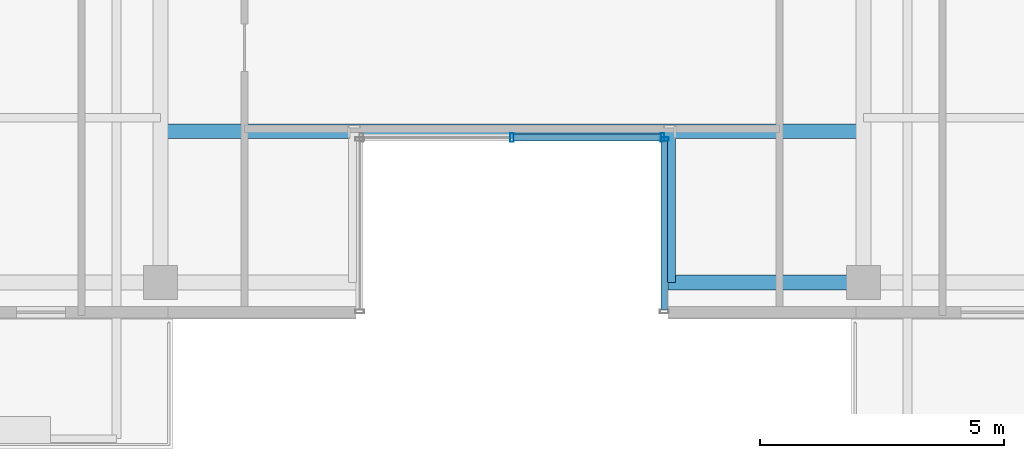
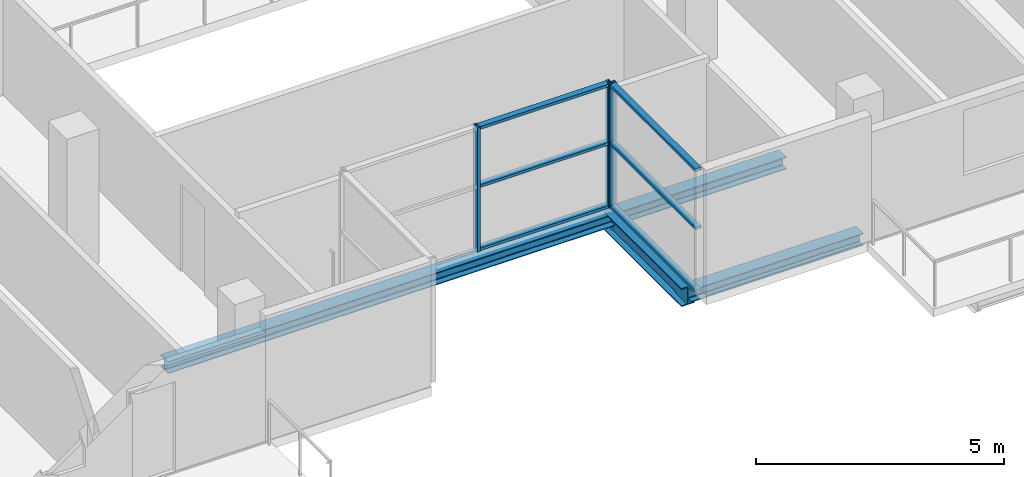
# One storey, part 4 of 22: 9 members, 3 beams, 2 elements without a shape of their own.
"""IFC4 building model written with IfcOpenShell, lengths in metres."""

from ifc_helpers import new_model, si_unit, direction, frame, origin, origin_2d, place, context, subcontext, project, spatial, hollow_rectangle, i_section, extrude, source, transform, mapped, material, layer, layer_set, material_profile, profile_set, type_object, element, aggregate, save


model = new_model("IFC4")

# Units and contexts
model_context = context("Model", 3, precision=1e-05, world=origin(), true_north=direction((0.0, 1.0)))
body_context = subcontext(model_context, "Body", "Model", "MODEL_VIEW")
ifc_project = project(units=[si_unit("LENGTHUNIT", "METRE"), si_unit("AREAUNIT", "SQUARE_METRE"), si_unit("VOLUMEUNIT", "CUBIC_METRE"), si_unit("PLANEANGLEUNIT", "RADIAN"), si_unit("MASSUNIT", "GRAM", prefix="KILO")], contexts=[model_context])

# Site, building, storey
site_placement = place(None, origin())
site = spatial("IfcSite", under=ifc_project, at=site_placement, CompositionType="ELEMENT")
building_placement = place(site_placement, origin())
building = spatial("IfcBuilding", under=site, at=building_placement, Name="Zarnakvel Exchange Tower", CompositionType="ELEMENT")
storey_placement = place(building_placement, frame((0.0, 0.0, 228.699951171875)))
storey = spatial("IfcBuildingStorey", under=building, at=storey_placement, Name="L64", CompositionType="ELEMENT", Elevation=228.699951171875)

# Beams
ifc_material_1 = material(Name="Steel S355", Category="steel")
ifc_material_profile_1 = material_profile(ifc_material_1, i_section(OverallWidth=0.300048828125, OverallDepth=0.449951171875, WebThickness=0.013916015625, FlangeThickness=0.02587890625, FilletRadius=0.027099609375, at=origin_2d()))
ifc_profile_set_1 = profile_set([ifc_material_profile_1], Name="Steel S355")
beam_type_1 = type_object("IfcBeamType", Name="G-07", PredefinedType="BEAM", material=ifc_profile_set_1)
beam_1_placement = place(storey_placement, frame((3.199951171875, -16.35009765625, -0.449951171875), z_axis=(0.0, 1.0, 0.0), x_axis=(-1.0, 0.0, 0.0)))
element("IfcBeam", 1, at=beam_1_placement, inside=storey, type_object=beam_type_1, Name="L64 South Slot East Cheek Beam", PredefinedType="BEAM", context=body_context, shape_type="SweptSolid", body=[
    extrude(i_section(OverallWidth=0.300048828125, OverallDepth=0.449951171875, WebThickness=0.013916015625, FlangeThickness=0.02587890625, FilletRadius=0.027099609375, at=origin_2d()), origin(), (0.0, 0.0, 1.0), 3.10009765625),
])
ifc_material_profile_2 = material_profile(ifc_material_1, i_section(OverallWidth=0.300048828125, OverallDepth=0.300048828125, WebThickness=0.010986328125, FlangeThickness=0.01904296875, FilletRadius=0.027099609375, at=origin_2d()))
ifc_profile_set_2 = profile_set([ifc_material_profile_2], Name="Steel S355")
beam_type_2 = type_object("IfcBeamType", Name="SP-03", PredefinedType="SPANDREL", material=ifc_profile_set_2)
beam_2_placement = place(storey_placement, frame((3.199951171875, -16.35009765625, -0.375), z_axis=(1.0, 0.0, 0.0), x_axis=(0.0, 1.0, 0.0)))
element("IfcBeam", 2, at=beam_2_placement, inside=storey, type_object=beam_type_2, Name="L64 South Slot East Jamb Spandrel", PredefinedType="SPANDREL", context=body_context, shape_type="SweptSolid", body=[
    extrude(i_section(OverallWidth=0.300048828125, OverallDepth=0.300048828125, WebThickness=0.010986328125, FlangeThickness=0.01904296875, FilletRadius=0.027099609375, at=origin_2d()), origin(), (0.0, 0.0, 1.0), 4.0),
])
beam_3_placement = place(storey_placement, frame((-7.199951171875, -13.25, -0.375), z_axis=(1.0, 0.0, 0.0), x_axis=(0.0, 1.0, 0.0)))
element("IfcBeam", 3, at=beam_3_placement, inside=storey, type_object=beam_type_2, Name="L64 South Slot Head Trimmer Girder", PredefinedType="SPANDREL", context=body_context, shape_type="SweptSolid", body=[
    extrude(i_section(OverallWidth=0.300048828125, OverallDepth=0.300048828125, WebThickness=0.010986328125, FlangeThickness=0.01904296875, FilletRadius=0.027099609375, at=origin_2d()), origin(), (0.0, 0.0, 1.0), 14.39990234375),
])

# Curtain wall, members
ifc_material_2 = material(Name="Architectural Bronze Anodised Aluminium", Category="aluminium")
ifc_layer = layer(ifc_material_2, 0.179931640625)
ifc_layer_set = layer_set([ifc_layer], Name="Architectural Bronze Anodised Aluminium")
curtain_wall_type = type_object("IfcCurtainWallType", Name="CW-05", PredefinedType="NOTDEFINED", material=ifc_layer_set)
curtain_wall_1_placement = place(storey_placement, origin())
curtain_wall_1 = element("IfcCurtainWall", 4, at=curtain_wall_1_placement, inside=storey, type_object=curtain_wall_type, Name="L64 Curtain Wall CW-L64-SLE (CW-05)", PredefinedType="NOTDEFINED")
ifc_material_profile_3 = material_profile(ifc_material_2, hollow_rectangle(XDim=0.139892578125, YDim=0.070068359375, WallThickness=0.00390625, at=origin_2d()))
ifc_profile_set_3 = profile_set([ifc_material_profile_3], Name="Architectural Bronze Anodised Aluminium")
member_type_1 = type_object("IfcMemberType", Name="CWT-05", PredefinedType="USERDEFINED", material=ifc_profile_set_3)
shared_shape_1 = source(origin(), body_context, "Body", "SweptSolid", [
    extrude(hollow_rectangle(XDim=0.139892578125, YDim=0.070068359375, WallThickness=0.00390625, at=origin_2d()), origin(), (0.0, 0.0, 1.0), 3.4599609375),
])
member_1_placement = place(storey_placement, frame((3.1201171875, -13.449951171875, 0.03515625), z_axis=(0.0, -1.0, 0.0), x_axis=(1.0, 0.0, 0.0)))
member_1 = element("IfcMember", 5, at=member_1_placement, type_object=member_type_1, Name="CW-05 transom 1.1", ObjectType="TRANSOM", PredefinedType="USERDEFINED", context=body_context, shape_type="MappedRepresentation", body=[
    mapped(shared_shape_1, transform((0.0, 0.0, 0.0), x_axis=(1.0, 0.0, 0.0), y_axis=(0.0, 1.0, 0.0), z_axis=(0.0, 0.0, 1.0), scale=1.0)),
])
member_2_placement = place(storey_placement, frame((3.1201171875, -13.449951171875, 1.588623046875), z_axis=(0.0, -1.0, 0.0), x_axis=(1.0, 0.0, 0.0)))
member_2 = element("IfcMember", 6, at=member_2_placement, type_object=member_type_1, Name="CW-05 transom 1.2", ObjectType="TRANSOM", PredefinedType="USERDEFINED", context=body_context, shape_type="MappedRepresentation", body=[
    mapped(shared_shape_1, transform((0.0, 0.0, 0.0), x_axis=(1.0, 0.0, 0.0), y_axis=(0.0, 1.0, 0.0), z_axis=(0.0, 0.0, 1.0), scale=1.0)),
])
member_3_placement = place(storey_placement, frame((3.1201171875, -13.449951171875, 3.02001953125), z_axis=(0.0, -1.0, 0.0), x_axis=(1.0, 0.0, 0.0)))
member_3 = element("IfcMember", 7, at=member_3_placement, type_object=member_type_1, Name="CW-05 transom 1.3", ObjectType="TRANSOM", PredefinedType="USERDEFINED", context=body_context, shape_type="MappedRepresentation", body=[
    mapped(shared_shape_1, transform((0.0, 0.0, 0.0), x_axis=(1.0, 0.0, 0.0), y_axis=(0.0, 1.0, 0.0), z_axis=(0.0, 0.0, 1.0), scale=1.0)),
])

curtain_wall_2_placement = place(storey_placement, origin())
curtain_wall_2 = element("IfcCurtainWall", 8, at=curtain_wall_2_placement, inside=storey, type_object=curtain_wall_type, Name="L64 Curtain Wall CW-L64-SLB (CW-05)", PredefinedType="NOTDEFINED")
shared_shape_2 = source(origin(), body_context, "Body", "SweptSolid", [
    extrude(hollow_rectangle(XDim=0.139892578125, YDim=0.070068359375, WallThickness=0.00390625, at=origin_2d()), origin(), (0.0, 0.0, 1.0), 3.01513671875),
])
member_4_placement = place(storey_placement, frame((0.034912109375, -13.3798828125, 0.03515625), z_axis=(1.0, 0.0, 0.0), x_axis=(0.0, 1.0, 0.0)))
member_4 = element("IfcMember", 9, at=member_4_placement, type_object=member_type_1, Name="CW-05 transom 2.1", ObjectType="TRANSOM", PredefinedType="USERDEFINED", context=body_context, shape_type="MappedRepresentation", body=[
    mapped(shared_shape_2, transform((0.0, 0.0, 0.0), x_axis=(1.0, 0.0, 0.0), y_axis=(0.0, 1.0, 0.0), z_axis=(0.0, 0.0, 1.0), scale=1.0)),
])
member_5_placement = place(storey_placement, frame((0.034912109375, -13.3798828125, 1.588623046875), z_axis=(1.0, 0.0, 0.0), x_axis=(0.0, 1.0, 0.0)))
member_5 = element("IfcMember", 10, at=member_5_placement, type_object=member_type_1, Name="CW-05 transom 2.2", ObjectType="TRANSOM", PredefinedType="USERDEFINED", context=body_context, shape_type="MappedRepresentation", body=[
    mapped(shared_shape_2, transform((0.0, 0.0, 0.0), x_axis=(1.0, 0.0, 0.0), y_axis=(0.0, 1.0, 0.0), z_axis=(0.0, 0.0, 1.0), scale=1.0)),
])
member_6_placement = place(storey_placement, frame((0.034912109375, -13.3798828125, 3.02001953125), z_axis=(1.0, 0.0, 0.0), x_axis=(0.0, 1.0, 0.0)))
member_6 = element("IfcMember", 11, at=member_6_placement, type_object=member_type_1, Name="CW-05 transom 2.3", ObjectType="TRANSOM", PredefinedType="USERDEFINED", context=body_context, shape_type="MappedRepresentation", body=[
    mapped(shared_shape_2, transform((0.0, 0.0, 0.0), x_axis=(1.0, 0.0, 0.0), y_axis=(0.0, 1.0, 0.0), z_axis=(0.0, 0.0, 1.0), scale=1.0)),
])
ifc_material_profile_4 = material_profile(ifc_material_2, hollow_rectangle(XDim=0.179931640625, YDim=0.070068359375, WallThickness=0.00390625, at=origin_2d()))
ifc_profile_set_4 = profile_set([ifc_material_profile_4], Name="Architectural Bronze Anodised Aluminium")
member_type_2 = type_object("IfcMemberType", Name="CWM-05", PredefinedType="MULLION", material=ifc_profile_set_4)
shared_shape_3 = source(origin(), body_context, "Body", "SweptSolid", [
    extrude(hollow_rectangle(XDim=0.179931640625, YDim=0.070068359375, WallThickness=0.00390625, at=origin_2d()), origin(), (0.0, 0.0, 1.0), 3.054931640625),
])
member_7_placement = place(storey_placement, frame((0.0, -13.3798828125, 0.0), z_axis=(0.0, 0.0, 1.0), x_axis=(0.0, 1.0, 0.0)))
member_7 = element("IfcMember", 12, at=member_7_placement, type_object=member_type_2, Name="CW-05 mullion 2", PredefinedType="MULLION", context=body_context, shape_type="MappedRepresentation", body=[
    mapped(shared_shape_3, transform((0.0, 0.0, 0.0), x_axis=(1.0, 0.0, 0.0), y_axis=(0.0, 1.0, 0.0), z_axis=(0.0, 0.0, 1.0), scale=1.0)),
])
member_8_placement = place(storey_placement, frame((3.0849609375, -13.3798828125, 0.0), z_axis=(0.0, 0.0, 1.0), x_axis=(0.0, 1.0, 0.0)))
member_8 = element("IfcMember", 13, at=member_8_placement, type_object=member_type_2, Name="CW-05 mullion 3", PredefinedType="MULLION", context=body_context, shape_type="MappedRepresentation", body=[
    mapped(shared_shape_3, transform((0.0, 0.0, 0.0), x_axis=(1.0, 0.0, 0.0), y_axis=(0.0, 1.0, 0.0), z_axis=(0.0, 0.0, 1.0), scale=1.0)),
])
aggregate(curtain_wall_2, [member_7, member_8, member_4, member_5, member_6])

# Member
member_9_placement = place(storey_placement, frame((3.1201171875, -13.4150390625, 0.0), z_axis=(0.0, 0.0, 1.0), x_axis=(1.0, 0.0, 0.0)))
member_9 = element("IfcMember", 14, at=member_9_placement, type_object=member_type_2, Name="CW-05 mullion 1", PredefinedType="MULLION", context=body_context, shape_type="MappedRepresentation", body=[
    mapped(shared_shape_3, transform((0.0, 0.0, 0.0), x_axis=(1.0, 0.0, 0.0), y_axis=(0.0, 1.0, 0.0), z_axis=(0.0, 0.0, 1.0), scale=1.0)),
])

aggregate(curtain_wall_1, [member_9, member_1, member_2, member_3])

save(model, "model.ifc")
